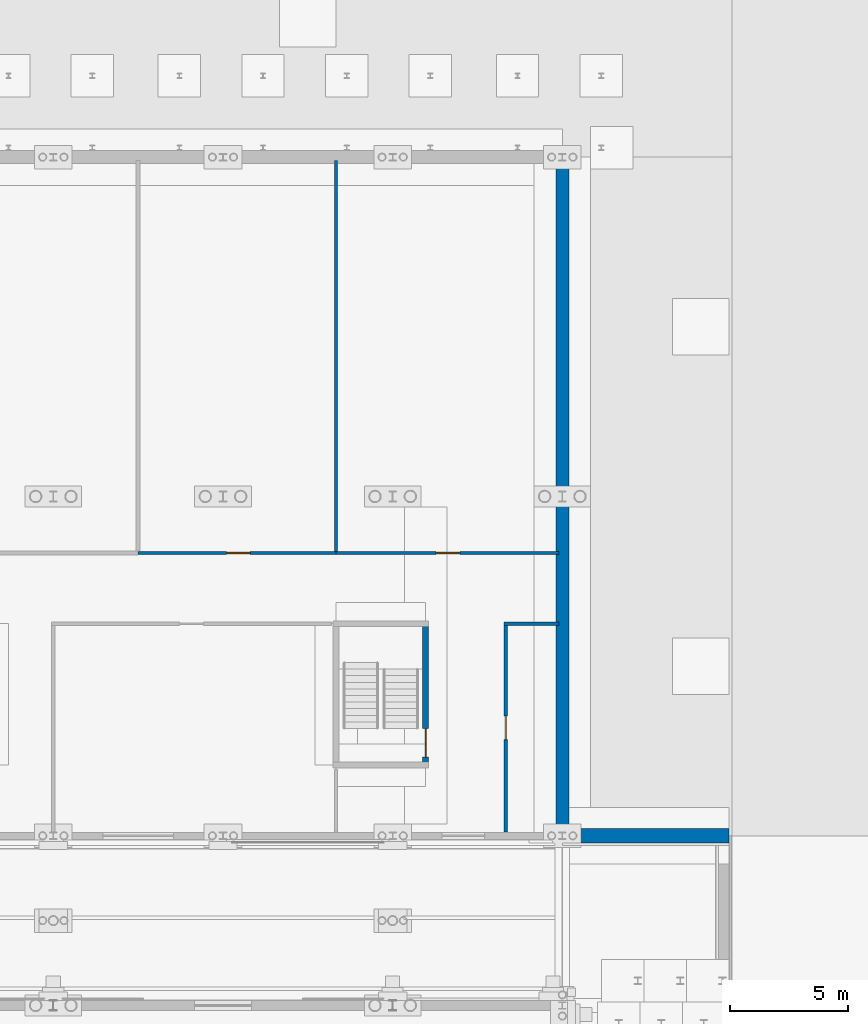
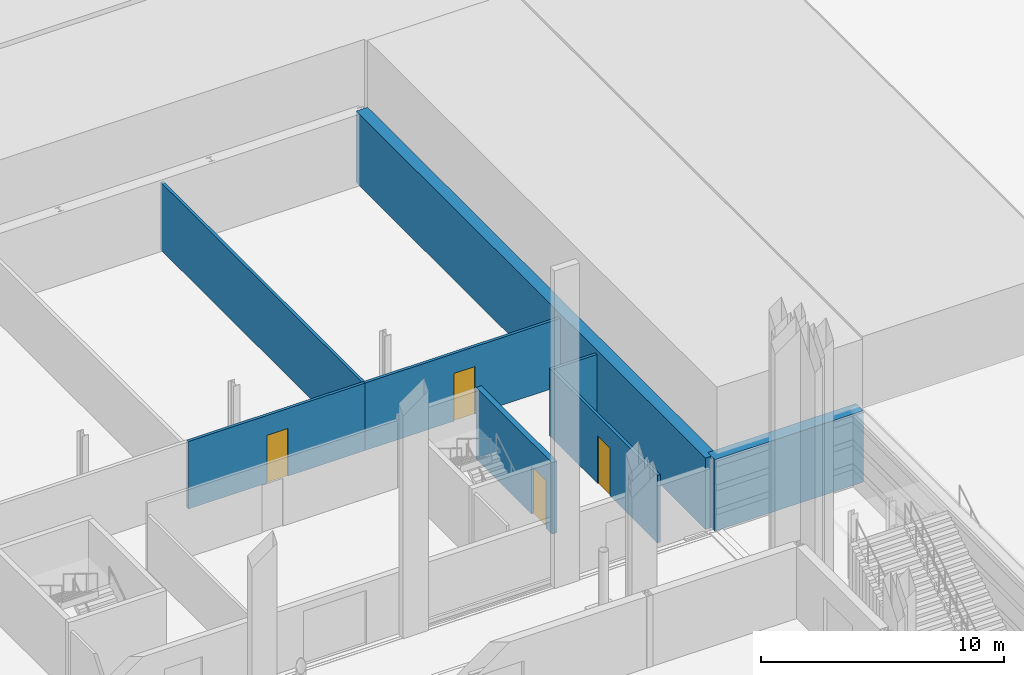
# One storey, part 92 of 148: 8 walls, 4 doors, 4 openings.
"""IFC4 building model written with IfcOpenShell, lengths in metres."""

import ifcopenshell
import ifcopenshell.guid

model = None  # the IFC model being written
_history = None  # IfcOwnerHistory: only IFC2X3 demands one
_inside = {}  # id of a spatial element -> (the spatial element, [elements in it])
_under = {}  # id of a project, library or spatial element -> (it, [spatial elements below it])
_declared = {}  # id of a project -> (the project, [libraries it declares])
_typed = {}  # id of a type object -> (the type object, [elements of that type])
_made_of = {}  # id of a material, layer set ... -> (it, [elements and type objects made of it])


def new_model(schema):
    """Start an empty IFC model of exactly this schema.

    Asked for "IFC4X3", IfcOpenShell would pick the latest addendum, in which some entities
    have other attributes; the version numbers below select the first issue.
    IFC2X3 requires an IfcOwnerHistory on every rooted entity: one is made here for all.
    """
    global model, _history
    if schema == "IFC4X3":
        model = ifcopenshell.file(schema_version=(4, 3, 0, 0))
    else:
        model = ifcopenshell.file(schema=schema)
    _inside.clear()
    _under.clear()
    _declared.clear()
    _typed.clear()
    _made_of.clear()
    _history = None
    if model.schema == "IFC2X3":
        org = make("IfcOrganization", Name="unknown")
        user = make(
            "IfcPersonAndOrganization",
            ThePerson=make("IfcPerson", FamilyName="unknown"),
            TheOrganization=org,
        )
        app = make(
            "IfcApplication",
            ApplicationDeveloper=org,
            Version="unknown",
            ApplicationFullName="unknown",
            ApplicationIdentifier="unknown",
        )
        _history = make(
            "IfcOwnerHistory",
            OwningUser=user,
            OwningApplication=app,
            ChangeAction="ADDED",
            CreationDate=0,
        )
    return model


def make(cls, **values):
    """One entity of the class cls with the attributes given. An attribute that is None is left unset."""
    return model.create_entity(
        cls, **{name: value for name, value in values.items() if value is not None}
    )


def rooted(cls, **values):
    """An entity with a GlobalId (a new one), such as an element, a storey or a relation."""
    return make(cls, GlobalId=ifcopenshell.guid.new(), OwnerHistory=_history, **values)


def si_unit(unit_type, name, prefix=None):
    """IfcSIUnit, for example si_unit("LENGTHUNIT", "METRE", prefix="MILLI")."""
    return make("IfcSIUnit", UnitType=unit_type, Prefix=prefix, Name=name)


def assignment(units):
    """IfcUnitAssignment: the units of a project."""
    return None if units is None else make("IfcUnitAssignment", Units=units)


def point(xyz):
    """IfcCartesianPoint."""
    return None if xyz is None else make("IfcCartesianPoint", Coordinates=xyz)


def direction(xyz):
    """IfcDirection."""
    return None if xyz is None else make("IfcDirection", DirectionRatios=xyz)


def frame(location, z_axis=None, x_axis=None):
    """IfcAxis2Placement3D, a coordinate frame: its origin and axes. An axis left out is left unset."""
    return make(
        "IfcAxis2Placement3D",
        Location=point(location),
        Axis=direction(z_axis),
        RefDirection=direction(x_axis),
    )


def frame_2d(location, x_axis=None):
    """IfcAxis2Placement2D, a coordinate frame in the plane: its origin and x axis."""
    return make(
        "IfcAxis2Placement2D", Location=point(location), RefDirection=direction(x_axis)
    )


def origin():
    """The frame at (0, 0, 0) with its axes left unset."""
    return frame((0.0, 0.0, 0.0))


def place(relative_to, where):
    """IfcLocalPlacement: puts the frame where relative to a parent placement (None: the world)."""
    return make(
        "IfcLocalPlacement", PlacementRelTo=relative_to, RelativePlacement=where
    )


def context(
    kind, dimensions, precision=None, world=None, true_north=None, identifier=None
):
    """IfcGeometricRepresentationContext, for example the 3D "Model" context."""
    return make(
        "IfcGeometricRepresentationContext",
        ContextIdentifier=identifier,
        ContextType=kind,
        CoordinateSpaceDimension=dimensions,
        Precision=precision,
        WorldCoordinateSystem=world,
        TrueNorth=true_north,
    )


def subcontext(parent, identifier, kind, view, scale=None):
    """IfcGeometricRepresentationSubContext, for example "Body" below "Model"."""
    return make(
        "IfcGeometricRepresentationSubContext",
        ContextIdentifier=identifier,
        ContextType=kind,
        ParentContext=parent,
        TargetScale=scale,
        TargetView=view,
    )


def project(units=None, contexts=None):
    """IfcProject with its units and contexts."""
    return rooted(
        "IfcProject",
        Name="project",
        RepresentationContexts=contexts,
        UnitsInContext=assignment(units),
    )


def spatial(cls, under=None, at=None, **own):
    """A site, building, storey or space (cls), placed at a placement, below another one or the project."""
    s = rooted(cls, ObjectPlacement=at, **own)
    if under is not None:
        _under.setdefault(under.id(), (under, []))[1].append(s)
    return s


def profile(cls, at=None, kind="AREA", **sizes):
    """A parametric profile (cls). Its sizes go by their IFC names, for example OverallWidth=200.0."""
    return make(cls, ProfileType=kind, Position=at, **sizes)


def rectangle(**sizes):
    """IfcRectangleProfileDef."""
    return profile("IfcRectangleProfileDef", **sizes)


def extrude(swept, where, along, depth):
    """IfcExtrudedAreaSolid: the profile swept, set in the frame where, extruded along a direction by depth."""
    return make(
        "IfcExtrudedAreaSolid",
        SweptArea=swept,
        Position=where,
        ExtrudedDirection=direction(along),
        Depth=depth,
    )


def shape(context_of_items, identifier, shape_type, items):
    """IfcShapeRepresentation: the items that make up one representation, for example the "Body"."""
    return make(
        "IfcShapeRepresentation",
        ContextOfItems=context_of_items,
        RepresentationIdentifier=identifier,
        RepresentationType=shape_type,
        Items=items,
    )


def material(Name=None, Category=None):
    """IfcMaterial."""
    return make("IfcMaterial", Name=Name, Category=Category)


def layer(
    of_material, thickness, ventilated=None, Name=None, Category=None, Priority=None
):
    """IfcMaterialLayer: one layer of a wall or slab, of a material (None: an air gap)."""
    return make(
        "IfcMaterialLayer",
        Material=of_material,
        LayerThickness=thickness,
        IsVentilated=ventilated,
        Name=Name,
        Category=Category,
        Priority=Priority,
    )


def layer_set(layers, Name=None):
    """IfcMaterialLayerSet."""
    return make("IfcMaterialLayerSet", MaterialLayers=layers, LayerSetName=Name)


def made_of(thing, what):
    """Note that an element or type object is made of a material, layer set ...; save() writes the relation."""
    if what is not None:
        _made_of.setdefault(what.id(), (what, []))[1].append(thing)
    return thing


def type_object(cls, material=None, **own):
    """A type object (cls), such as IfcWallType, which elements share."""
    return made_of(rooted(cls, **own), material)


def element(
    cls,
    number,
    at=None,
    inside=None,
    cuts=None,
    type_object=None,
    material=None,
    context=None,
    identifier="Body",
    shape_type=None,
    held_by="IfcProductDefinitionShape",
    body=None,
    shapes=None,
    **own,
):
    """One element of the class cls, such as IfcWall. Its Tag is "e" and its number.

    at: its placement. inside: the storey or other place that contains it. cuts: it is an
    opening in that element (IfcRelVoidsElement). A single representation is given by context,
    identifier, shape_type and body (its items); several are given by shapes. held_by: the class
    of the entity that holds the representations. save() writes the other relations.
    """
    e = rooted(cls, Tag="e%d" % number, ObjectPlacement=at, **own)
    if body is not None:
        shapes = [shape(context, identifier, shape_type, body)]
    if shapes is not None:
        e.Representation = make(held_by, Representations=shapes)
    if inside is not None:
        _inside.setdefault(inside.id(), (inside, []))[1].append(e)
    if cuts is not None:
        rooted(
            "IfcRelVoidsElement", RelatingBuildingElement=cuts, RelatedOpeningElement=e
        )
    if type_object is not None:
        _typed.setdefault(type_object.id(), (type_object, []))[1].append(e)
    return made_of(e, material)


def fill(opening, filler):
    """IfcRelFillsElement: the door or window that sits in an opening."""
    return rooted(
        "IfcRelFillsElement",
        RelatingOpeningElement=opening,
        RelatedBuildingElement=filler,
    )


def aggregate(whole, parts):
    """IfcRelAggregates: a whole, such as a stair, and the parts it consists of."""
    return rooted("IfcRelAggregates", RelatingObject=whole, RelatedObjects=parts)


def save(model, path):
    """Write the relations noted so far, then the file.

    IfcRelAggregates (storeys below a building ...), IfcRelContainedInSpatialStructure (elements
    in a storey), IfcRelDefinesByType, IfcRelAssociatesMaterial and IfcRelDeclares: one each for
    every whole, place, type object, material and project.
    """
    for whole, parts in _under.values():
        aggregate(whole, parts)
    for where, things in _inside.values():
        rooted(
            "IfcRelContainedInSpatialStructure",
            RelatedElements=things,
            RelatingStructure=where,
        )
    for kind, things in _typed.values():
        rooted("IfcRelDefinesByType", RelatedObjects=things, RelatingType=kind)
    for what, things in _made_of.values():
        rooted("IfcRelAssociatesMaterial", RelatedObjects=things, RelatingMaterial=what)
    for by, libraries in _declared.values():
        rooted("IfcRelDeclares", RelatingContext=by, RelatedDefinitions=libraries)
    model.write(path)


model = new_model("IFC4")

# Units and contexts
model_context = context("Model", 3, precision=1e-05, world=origin(), true_north=direction((0.0, 1.0)))
body_context = subcontext(model_context, "Body", "Model", "MODEL_VIEW")
ifc_project = project(units=[si_unit("LENGTHUNIT", "METRE"), si_unit("AREAUNIT", "SQUARE_METRE"), si_unit("VOLUMEUNIT", "CUBIC_METRE"), si_unit("PLANEANGLEUNIT", "RADIAN"), si_unit("MASSUNIT", "GRAM", prefix="KILO")], contexts=[model_context])

# Site, building, storey
site_placement = place(None, origin())
site = spatial("IfcSite", under=ifc_project, at=site_placement, CompositionType="ELEMENT")
building_placement = place(site_placement, origin())
building = spatial("IfcBuilding", under=site, at=building_placement, Name="Kupolbacken Congress Centre", CompositionType="ELEMENT")
storey_placement = place(building_placement, origin())
storey = spatial("IfcBuildingStorey", under=building, at=storey_placement, Name="L00", CompositionType="ELEMENT", Elevation=0.0)

# Wall, opening, door
ifc_material_1 = material(Name="Gypsum board", Category="drywall")
ifc_layer_1 = layer(ifc_material_1, 0.135009765625)
ifc_layer_set_1 = layer_set([ifc_layer_1], Name="Gypsum board")
wall_type_1 = type_object("IfcWallType", Name="P06 compartment wall 135", PredefinedType="PARTITIONING", material=ifc_layer_set_1)
wall_1_placement = place(storey_placement, frame((199.199951171875, 131.33251953125, 0.0), z_axis=(0.0, 0.0, 1.0), x_axis=(0.0, -1.0, 0.0)))
wall_1 = element("IfcWall", 1, at=wall_1_placement, inside=storey, type_object=wall_type_1, Name="PD/L00/W025", PredefinedType="PARTITIONING", context=body_context, shape_type="SweptSolid", body=[
    extrude(rectangle(XDim=8.782470703125, YDim=0.135009765625, at=frame_2d((4.39111328125, 0.0))), origin(), (0.0, 0.0, 1.0), 3.39990234375),
])
opening_1_placement = place(wall_1_placement, frame((3.85009765625, 0.0, 0.0)))
opening_1 = element("IfcOpeningElement", 2, at=opening_1_placement, cuts=wall_1, Name="Opening 0.B09", PredefinedType="OPENING", context=body_context, shape_type="SweptSolid", body=[
    extrude(rectangle(XDim=1.0, YDim=2.39990234375, at=frame_2d((0.5, 1.199951171875))), frame((0.0, 0.077392578125, 0.0), z_axis=(0.0, -1.0, 0.0), x_axis=(1.0, 0.0, 0.0)), (0.0, 0.0, 1.0), 0.155029296875),
])
ifc_material_2 = material(Name="Steel fire door leaf", Category="steel")
door_type_1 = type_object("IfcDoorType", Name="D8 fire door 1000x2400", OperationType="SINGLE_SWING_LEFT", PredefinedType="DOOR", material=ifc_material_2)
door_1_placement = place(opening_1_placement, origin())
door_1 = element("IfcDoor", 3, at=door_1_placement, inside=storey, type_object=door_type_1, Name="PD/L00/W025/D0B09", OperationType="SINGLE_SWING_RIGHT", OverallHeight=2.39990234375, OverallWidth=1.0, PredefinedType="DOOR", context=body_context, shape_type="SweptSolid", body=[
    extrude(rectangle(XDim=1.0, YDim=2.39990234375, at=frame_2d((0.5, 1.199951171875))), frame((0.0, 0.02490234375, 0.0), z_axis=(0.0, -1.0, 0.0), x_axis=(1.0, 0.0, 0.0)), (0.0, 0.0, 1.0), 0.050048828125),
])
fill(opening_1, door_1)

wall_2_placement = place(storey_placement, frame((183.60009765625, 134.39990234375, 0.0), z_axis=(0.0, 0.0, 1.0), x_axis=(1.0, 0.0, 0.0)))
wall_2 = element("IfcWall", 4, at=wall_2_placement, inside=storey, type_object=wall_type_1, Name="PD/L00/W125", PredefinedType="PARTITIONING", context=body_context, shape_type="SweptSolid", body=[
    extrude(rectangle(XDim=8.39990234375, YDim=0.135009765625, at=frame_2d((4.199951171875, 0.0))), origin(), (0.0, 0.0, 1.0), 3.39990234375),
])
opening_2_placement = place(wall_2_placement, frame((3.75, 0.0, 0.0)))
opening_2 = element("IfcOpeningElement", 5, at=opening_2_placement, cuts=wall_2, Name="Opening 0.B05", PredefinedType="OPENING", context=body_context, shape_type="SweptSolid", body=[
    extrude(rectangle(XDim=1.0, YDim=2.39990234375, at=frame_2d((0.5, 1.199951171875))), frame((0.0, 0.077392578125, 0.0), z_axis=(0.0, -1.0, 0.0), x_axis=(1.0, 0.0, 0.0)), (0.0, 0.0, 1.0), 0.155029296875),
])
door_2_placement = place(opening_2_placement, origin())
door_2 = element("IfcDoor", 6, at=door_2_placement, inside=storey, type_object=door_type_1, Name="PD/L00/W125/D0B05", OperationType="SINGLE_SWING_LEFT", OverallHeight=2.39990234375, OverallWidth=1.0, PredefinedType="DOOR", context=body_context, shape_type="SweptSolid", body=[
    extrude(rectangle(XDim=1.0, YDim=2.39990234375, at=frame_2d((0.5, 1.199951171875))), frame((0.0, 0.02490234375, 0.0), z_axis=(0.0, -1.0, 0.0), x_axis=(1.0, 0.0, 0.0)), (0.0, 0.0, 1.0), 0.050048828125),
])
fill(opening_2, door_2)

wall_3_placement = place(storey_placement, frame((192.0, 134.39990234375, 0.0), z_axis=(0.0, 0.0, 1.0), x_axis=(1.0, 0.0, 0.0)))
wall_3 = element("IfcWall", 7, at=wall_3_placement, inside=storey, type_object=wall_type_1, Name="PD/L00/W126", PredefinedType="PARTITIONING", context=body_context, shape_type="SweptSolid", body=[
    extrude(rectangle(XDim=9.449951171875, YDim=0.135009765625, at=frame_2d((4.72509765625, 0.0))), origin(), (0.0, 0.0, 1.0), 3.39990234375),
])
opening_3_placement = place(wall_3_placement, frame((4.25, 0.0, 0.0)))
opening_3 = element("IfcOpeningElement", 8, at=opening_3_placement, cuts=wall_3, Name="Opening 0.B06", PredefinedType="OPENING", context=body_context, shape_type="SweptSolid", body=[
    extrude(rectangle(XDim=1.0, YDim=2.39990234375, at=frame_2d((0.5, 1.199951171875))), frame((0.0, 0.077392578125, 0.0), z_axis=(0.0, -1.0, 0.0), x_axis=(1.0, 0.0, 0.0)), (0.0, 0.0, 1.0), 0.155029296875),
])
door_3_placement = place(opening_3_placement, origin())
door_3 = element("IfcDoor", 9, at=door_3_placement, inside=storey, type_object=door_type_1, Name="PD/L00/W126/D0B06", OperationType="SINGLE_SWING_LEFT", OverallHeight=2.39990234375, OverallWidth=1.0, PredefinedType="DOOR", context=body_context, shape_type="SweptSolid", body=[
    extrude(rectangle(XDim=1.0, YDim=2.39990234375, at=frame_2d((0.5, 1.199951171875))), frame((0.0, 0.02490234375, 0.0), z_axis=(0.0, -1.0, 0.0), x_axis=(1.0, 0.0, 0.0)), (0.0, 0.0, 1.0), 0.050048828125),
])
fill(opening_3, door_3)

# Walls
wall_4_placement = place(storey_placement, frame((201.449951171875, 131.39990234375, 0.0), z_axis=(0.0, 0.0, 1.0), x_axis=(-1.0, 0.0, 0.0)))
element("IfcWall", 10, at=wall_4_placement, inside=storey, type_object=wall_type_1, Name="PD/L00/W129", PredefinedType="PARTITIONING", context=body_context, shape_type="SweptSolid", body=[
    extrude(rectangle(XDim=2.3173828125, YDim=0.135009765625, at=frame_2d((1.15869140625, 0.0))), origin(), (0.0, 0.0, 1.0), 3.39990234375),
])
wall_5_placement = place(storey_placement, frame((192.0, 151.050048828125, 0.0), z_axis=(0.0, 0.0, 1.0), x_axis=(0.0, -1.0, 0.0)))
element("IfcWall", 11, at=wall_5_placement, inside=storey, type_object=wall_type_1, Name="PD/L00/W132", PredefinedType="PARTITIONING", context=body_context, shape_type="SweptSolid", body=[
    extrude(rectangle(XDim=16.58251953125, YDim=0.135009765625, at=frame_2d((8.291259765625, 0.0))), origin(), (0.0, 0.0, 1.0), 3.39990234375),
])
ifc_material_3 = material(Name="Concrete C30/37", Category="concrete")
ifc_layer_2 = layer(ifc_material_3, 0.550048828125)
ifc_layer_set_2 = layer_set([ifc_layer_2], Name="Concrete C30/37")
wall_type_2 = type_object("IfcWallType", Name="RW3 retaining wall 550", PredefinedType="SOLIDWALL", material=ifc_layer_set_2)
wall_6_placement = place(storey_placement, frame((201.60009765625, 122.39990234375, 0.0), z_axis=(0.0, 0.0, 1.0), x_axis=(0.0, 1.0, 0.0)))
element("IfcWall", 12, at=wall_6_placement, inside=storey, type_object=wall_type_2, Name="Retaining wall BF01 L00", PredefinedType="SOLIDWALL", context=body_context, shape_type="SweptSolid", body=[
    extrude(rectangle(XDim=28.800048828125, YDim=0.550048828125, at=frame_2d((14.39990234375, 0.0))), origin(), (0.0, 0.0, 1.0), 3.60009765625),
])
ifc_material_4 = material(Name="Concrete C30/37", Category="concrete")
ifc_layer_3 = layer(ifc_material_4, 0.60009765625)
ifc_layer_set_3 = layer_set([ifc_layer_3], Name="Concrete C30/37")
wall_type_3 = type_object("IfcWallType", Name="RW4 retaining wall 600", PredefinedType="SOLIDWALL", material=ifc_layer_set_3)
wall_7_placement = place(storey_placement, frame((201.60009765625, 122.39990234375, 0.0), z_axis=(0.0, 0.0, 1.0), x_axis=(1.0, 0.0, 0.0)))
element("IfcWall", 13, at=wall_7_placement, inside=storey, type_object=wall_type_3, Name="S/rw/RW3/W1", PredefinedType="SOLIDWALL", context=body_context, shape_type="SweptSolid", body=[
    extrude(rectangle(XDim=7.06982421875, YDim=0.60009765625, at=frame_2d((3.534912109375, 0.0))), origin(), (0.0, 0.0, 1.0), 3.60009765625),
])

# Wall, opening, door
ifc_material_5 = material(Name="Concrete C40/50", Category="concrete")
ifc_layer_4 = layer(ifc_material_5, 0.25)
ifc_layer_set_4 = layer_set([ifc_layer_4], Name="Concrete C40/50")
wall_type_4 = type_object("IfcWallType", Name="WC2 RC stair enclosure wall 250", PredefinedType="SHEAR", material=ifc_layer_set_4)
wall_8_placement = place(storey_placement, frame((195.800048828125, 125.27490234375, 0.0), z_axis=(0.0, 0.0, 1.0), x_axis=(0.0, 1.0, 0.0)))
wall_8 = element("IfcWall", 14, at=wall_8_placement, inside=storey, type_object=wall_type_4, Name="Stair enclosure wall L00-089", PredefinedType="SHEAR", context=body_context, shape_type="SweptSolid", body=[
    extrude(rectangle(XDim=6.25, YDim=0.25, at=frame_2d((3.125, 0.0))), origin(), (0.0, 0.0, 1.0), 3.60009765625),
])
opening_4_placement = place(wall_8_placement, frame((0.47509765625, 0.0, 0.0)))
opening_4 = element("IfcOpeningElement", 15, at=opening_4_placement, cuts=wall_8, Name="Opening 0.B01", PredefinedType="OPENING", context=body_context, shape_type="SweptSolid", body=[
    extrude(rectangle(XDim=1.199951171875, YDim=2.39990234375, at=frame_2d((0.60009765625, 1.199951171875))), frame((0.0, 0.135009765625, 0.0), z_axis=(0.0, -1.0, 0.0), x_axis=(1.0, 0.0, 0.0)), (0.0, 0.0, 1.0), 0.27001953125),
])
ifc_material_6 = material(Name="Steel fire door leaf", Category="steel")
door_type_2 = type_object("IfcDoorType", Name="D9 fire door 1200x2400", OperationType="SINGLE_SWING_LEFT", PredefinedType="DOOR", material=ifc_material_6)
door_4_placement = place(opening_4_placement, origin())
door_4 = element("IfcDoor", 16, at=door_4_placement, inside=storey, type_object=door_type_2, Name="S/core/L00/089/D0B01", OperationType="SINGLE_SWING_RIGHT", OverallHeight=2.39990234375, OverallWidth=1.199951171875, PredefinedType="DOOR", context=body_context, shape_type="SweptSolid", body=[
    extrude(rectangle(XDim=1.199951171875, YDim=2.39990234375, at=frame_2d((0.60009765625, 1.199951171875))), frame((0.0, 0.02490234375, 0.0), z_axis=(0.0, -1.0, 0.0), x_axis=(1.0, 0.0, 0.0)), (0.0, 0.0, 1.0), 0.050048828125),
])
fill(opening_4, door_4)

save(model, "model.ifc")
